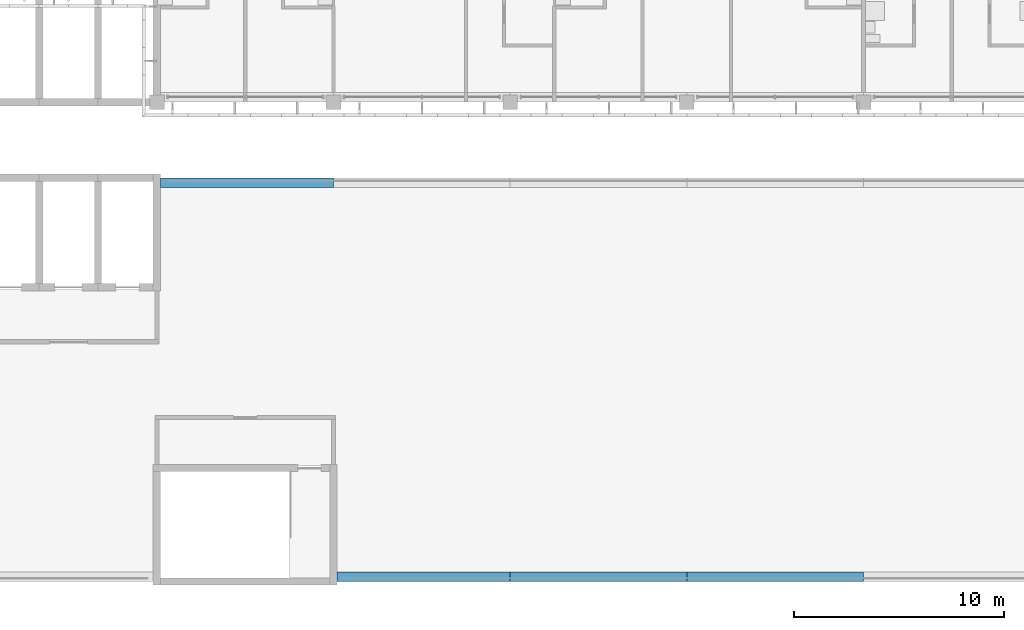
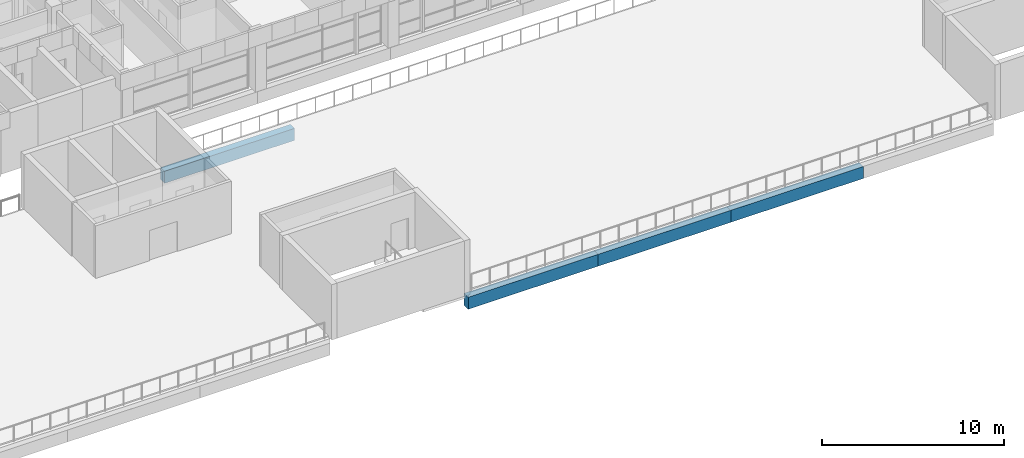
# One storey, part 3 of 46: 4 beams.
"""IFC4 building model written with IfcOpenShell, lengths in metres."""

import ifcopenshell
import ifcopenshell.guid

model = None  # the IFC model being written
_history = None  # IfcOwnerHistory: only IFC2X3 demands one
_inside = {}  # id of a spatial element -> (the spatial element, [elements in it])
_under = {}  # id of a project, library or spatial element -> (it, [spatial elements below it])
_declared = {}  # id of a project -> (the project, [libraries it declares])
_typed = {}  # id of a type object -> (the type object, [elements of that type])
_made_of = {}  # id of a material, layer set ... -> (it, [elements and type objects made of it])


def new_model(schema):
    """Start an empty IFC model of exactly this schema.

    Asked for "IFC4X3", IfcOpenShell would pick the latest addendum, in which some entities
    have other attributes; the version numbers below select the first issue.
    IFC2X3 requires an IfcOwnerHistory on every rooted entity: one is made here for all.
    """
    global model, _history
    if schema == "IFC4X3":
        model = ifcopenshell.file(schema_version=(4, 3, 0, 0))
    else:
        model = ifcopenshell.file(schema=schema)
    _inside.clear()
    _under.clear()
    _declared.clear()
    _typed.clear()
    _made_of.clear()
    _history = None
    if model.schema == "IFC2X3":
        org = make("IfcOrganization", Name="unknown")
        user = make(
            "IfcPersonAndOrganization",
            ThePerson=make("IfcPerson", FamilyName="unknown"),
            TheOrganization=org,
        )
        app = make(
            "IfcApplication",
            ApplicationDeveloper=org,
            Version="unknown",
            ApplicationFullName="unknown",
            ApplicationIdentifier="unknown",
        )
        _history = make(
            "IfcOwnerHistory",
            OwningUser=user,
            OwningApplication=app,
            ChangeAction="ADDED",
            CreationDate=0,
        )
    return model


def make(cls, **values):
    """One entity of the class cls with the attributes given. An attribute that is None is left unset."""
    return model.create_entity(
        cls, **{name: value for name, value in values.items() if value is not None}
    )


def rooted(cls, **values):
    """An entity with a GlobalId (a new one), such as an element, a storey or a relation."""
    return make(cls, GlobalId=ifcopenshell.guid.new(), OwnerHistory=_history, **values)


def si_unit(unit_type, name, prefix=None):
    """IfcSIUnit, for example si_unit("LENGTHUNIT", "METRE", prefix="MILLI")."""
    return make("IfcSIUnit", UnitType=unit_type, Prefix=prefix, Name=name)


def assignment(units):
    """IfcUnitAssignment: the units of a project."""
    return None if units is None else make("IfcUnitAssignment", Units=units)


def point(xyz):
    """IfcCartesianPoint."""
    return None if xyz is None else make("IfcCartesianPoint", Coordinates=xyz)


def direction(xyz):
    """IfcDirection."""
    return None if xyz is None else make("IfcDirection", DirectionRatios=xyz)


def frame(location, z_axis=None, x_axis=None):
    """IfcAxis2Placement3D, a coordinate frame: its origin and axes. An axis left out is left unset."""
    return make(
        "IfcAxis2Placement3D",
        Location=point(location),
        Axis=direction(z_axis),
        RefDirection=direction(x_axis),
    )


def frame_2d(location, x_axis=None):
    """IfcAxis2Placement2D, a coordinate frame in the plane: its origin and x axis."""
    return make(
        "IfcAxis2Placement2D", Location=point(location), RefDirection=direction(x_axis)
    )


def origin():
    """The frame at (0, 0, 0) with its axes left unset."""
    return frame((0.0, 0.0, 0.0))


def origin_2d():
    """The frame at (0, 0) in the plane with its x axis left unset."""
    return frame_2d((0.0, 0.0))


def place(relative_to, where):
    """IfcLocalPlacement: puts the frame where relative to a parent placement (None: the world)."""
    return make(
        "IfcLocalPlacement", PlacementRelTo=relative_to, RelativePlacement=where
    )


def context(
    kind, dimensions, precision=None, world=None, true_north=None, identifier=None
):
    """IfcGeometricRepresentationContext, for example the 3D "Model" context."""
    return make(
        "IfcGeometricRepresentationContext",
        ContextIdentifier=identifier,
        ContextType=kind,
        CoordinateSpaceDimension=dimensions,
        Precision=precision,
        WorldCoordinateSystem=world,
        TrueNorth=true_north,
    )


def subcontext(parent, identifier, kind, view, scale=None):
    """IfcGeometricRepresentationSubContext, for example "Body" below "Model"."""
    return make(
        "IfcGeometricRepresentationSubContext",
        ContextIdentifier=identifier,
        ContextType=kind,
        ParentContext=parent,
        TargetScale=scale,
        TargetView=view,
    )


def project(units=None, contexts=None):
    """IfcProject with its units and contexts."""
    return rooted(
        "IfcProject",
        Name="project",
        RepresentationContexts=contexts,
        UnitsInContext=assignment(units),
    )


def spatial(cls, under=None, at=None, **own):
    """A site, building, storey or space (cls), placed at a placement, below another one or the project."""
    s = rooted(cls, ObjectPlacement=at, **own)
    if under is not None:
        _under.setdefault(under.id(), (under, []))[1].append(s)
    return s


def profile(cls, at=None, kind="AREA", **sizes):
    """A parametric profile (cls). Its sizes go by their IFC names, for example OverallWidth=200.0."""
    return make(cls, ProfileType=kind, Position=at, **sizes)


def rectangle(**sizes):
    """IfcRectangleProfileDef."""
    return profile("IfcRectangleProfileDef", **sizes)


def extrude(swept, where, along, depth):
    """IfcExtrudedAreaSolid: the profile swept, set in the frame where, extruded along a direction by depth."""
    return make(
        "IfcExtrudedAreaSolid",
        SweptArea=swept,
        Position=where,
        ExtrudedDirection=direction(along),
        Depth=depth,
    )


def shape(context_of_items, identifier, shape_type, items):
    """IfcShapeRepresentation: the items that make up one representation, for example the "Body"."""
    return make(
        "IfcShapeRepresentation",
        ContextOfItems=context_of_items,
        RepresentationIdentifier=identifier,
        RepresentationType=shape_type,
        Items=items,
    )


def material(Name=None, Category=None):
    """IfcMaterial."""
    return make("IfcMaterial", Name=Name, Category=Category)


def material_profile(
    of_material, cross_section, Name=None, Category=None, Priority=None
):
    """IfcMaterialProfile: a cross section and its material."""
    return make(
        "IfcMaterialProfile",
        Name=Name,
        Material=of_material,
        Profile=cross_section,
        Priority=Priority,
        Category=Category,
    )


def profile_set(profiles, Name=None, composite=None):
    """IfcMaterialProfileSet."""
    return make(
        "IfcMaterialProfileSet",
        Name=Name,
        MaterialProfiles=profiles,
        CompositeProfile=composite,
    )


def made_of(thing, what):
    """Note that an element or type object is made of a material, layer set ...; save() writes the relation."""
    if what is not None:
        _made_of.setdefault(what.id(), (what, []))[1].append(thing)
    return thing


def type_object(cls, material=None, **own):
    """A type object (cls), such as IfcWallType, which elements share."""
    return made_of(rooted(cls, **own), material)


def element(
    cls,
    number,
    at=None,
    inside=None,
    cuts=None,
    type_object=None,
    material=None,
    context=None,
    identifier="Body",
    shape_type=None,
    held_by="IfcProductDefinitionShape",
    body=None,
    shapes=None,
    **own,
):
    """One element of the class cls, such as IfcWall. Its Tag is "e" and its number.

    at: its placement. inside: the storey or other place that contains it. cuts: it is an
    opening in that element (IfcRelVoidsElement). A single representation is given by context,
    identifier, shape_type and body (its items); several are given by shapes. held_by: the class
    of the entity that holds the representations. save() writes the other relations.
    """
    e = rooted(cls, Tag="e%d" % number, ObjectPlacement=at, **own)
    if body is not None:
        shapes = [shape(context, identifier, shape_type, body)]
    if shapes is not None:
        e.Representation = make(held_by, Representations=shapes)
    if inside is not None:
        _inside.setdefault(inside.id(), (inside, []))[1].append(e)
    if cuts is not None:
        rooted(
            "IfcRelVoidsElement", RelatingBuildingElement=cuts, RelatedOpeningElement=e
        )
    if type_object is not None:
        _typed.setdefault(type_object.id(), (type_object, []))[1].append(e)
    return made_of(e, material)


def aggregate(whole, parts):
    """IfcRelAggregates: a whole, such as a stair, and the parts it consists of."""
    return rooted("IfcRelAggregates", RelatingObject=whole, RelatedObjects=parts)


def save(model, path):
    """Write the relations noted so far, then the file.

    IfcRelAggregates (storeys below a building ...), IfcRelContainedInSpatialStructure (elements
    in a storey), IfcRelDefinesByType, IfcRelAssociatesMaterial and IfcRelDeclares: one each for
    every whole, place, type object, material and project.
    """
    for whole, parts in _under.values():
        aggregate(whole, parts)
    for where, things in _inside.values():
        rooted(
            "IfcRelContainedInSpatialStructure",
            RelatedElements=things,
            RelatingStructure=where,
        )
    for kind, things in _typed.values():
        rooted("IfcRelDefinesByType", RelatedObjects=things, RelatingType=kind)
    for what, things in _made_of.values():
        rooted("IfcRelAssociatesMaterial", RelatedObjects=things, RelatingMaterial=what)
    for by, libraries in _declared.values():
        rooted("IfcRelDeclares", RelatingContext=by, RelatedDefinitions=libraries)
    model.write(path)


model = new_model("IFC4")

# Units and contexts
model_context = context("Model", 3, precision=1e-05, world=origin(), true_north=direction((0.0, 1.0)))
body_context = subcontext(model_context, "Body", "Model", "MODEL_VIEW")
ifc_project = project(units=[si_unit("LENGTHUNIT", "METRE"), si_unit("AREAUNIT", "SQUARE_METRE"), si_unit("VOLUMEUNIT", "CUBIC_METRE"), si_unit("PLANEANGLEUNIT", "RADIAN"), si_unit("MASSUNIT", "GRAM", prefix="KILO")], contexts=[model_context])

# Site, building, storey
site_placement = place(None, origin())
site = spatial("IfcSite", under=ifc_project, at=site_placement, CompositionType="ELEMENT")
building_placement = place(site_placement, origin())
building = spatial("IfcBuilding", under=site, at=building_placement, Name="Bougainvillea Quay General Hospital", CompositionType="ELEMENT")
storey_placement = place(building_placement, frame((0.0, 0.0, 28.800048828125)))
storey = spatial("IfcBuildingStorey", under=building, at=storey_placement, Name="L06", CompositionType="ELEMENT", Elevation=28.800048828125)

# Beams
ifc_material = material(Name="Concrete C40", Category="concrete")
ifc_material_profile = material_profile(ifc_material, rectangle(XDim=0.449951171875, YDim=0.800048828125, at=origin_2d()))
ifc_profile_set = profile_set([ifc_material_profile], Name="Concrete C40")
beam_type = type_object("IfcBeamType", Name="RC BEAM 450x800 C40", PredefinedType="BEAM", material=ifc_profile_set)
beam_1_placement = place(storey_placement, frame((84.0, 136.574951171875, -0.699951171875), z_axis=(-1.0, 0.0, 0.0), x_axis=(0.0, -1.0, 0.0)))
element("IfcBeam", 1, at=beam_1_placement, inside=storey, type_object=beam_type, Name="Edge beam L06", PredefinedType="BEAM", context=body_context, shape_type="SweptSolid", body=[
    extrude(rectangle(XDim=0.449951171875, YDim=0.800048828125, at=origin_2d()), origin(), (0.0, 0.0, 1.0), 8.22509765625),
])
beam_2_placement = place(storey_placement, frame((84.175048828125, 117.824951171875, -0.699951171875), z_axis=(1.0, 0.0, 0.0), x_axis=(0.0, 1.0, 0.0)))
element("IfcBeam", 2, at=beam_2_placement, inside=storey, type_object=beam_type, Name="Edge beam L06", PredefinedType="BEAM", context=body_context, shape_type="SweptSolid", body=[
    extrude(rectangle(XDim=0.449951171875, YDim=0.800048828125, at=origin_2d()), origin(), (0.0, 0.0, 1.0), 8.224853515625),
])
beam_3_placement = place(storey_placement, frame((92.39990234375, 117.824951171875, -0.699951171875), z_axis=(1.0, 0.0, 0.0), x_axis=(0.0, 1.0, 0.0)))
element("IfcBeam", 3, at=beam_3_placement, inside=storey, type_object=beam_type, Name="Edge beam L06", PredefinedType="BEAM", context=body_context, shape_type="SweptSolid", body=[
    extrude(rectangle(XDim=0.449951171875, YDim=0.800048828125, at=origin_2d()), origin(), (0.0, 0.0, 1.0), 8.400146484375),
])
beam_4_placement = place(storey_placement, frame((100.800048828125, 117.824951171875, -0.699951171875), z_axis=(1.0, 0.0, 0.0), x_axis=(0.0, 1.0, 0.0)))
element("IfcBeam", 4, at=beam_4_placement, inside=storey, type_object=beam_type, Name="Edge beam L06", PredefinedType="BEAM", context=body_context, shape_type="SweptSolid", body=[
    extrude(rectangle(XDim=0.449951171875, YDim=0.800048828125, at=origin_2d()), origin(), (0.0, 0.0, 1.0), 8.39990234375),
])

save(model, "model.ifc")
